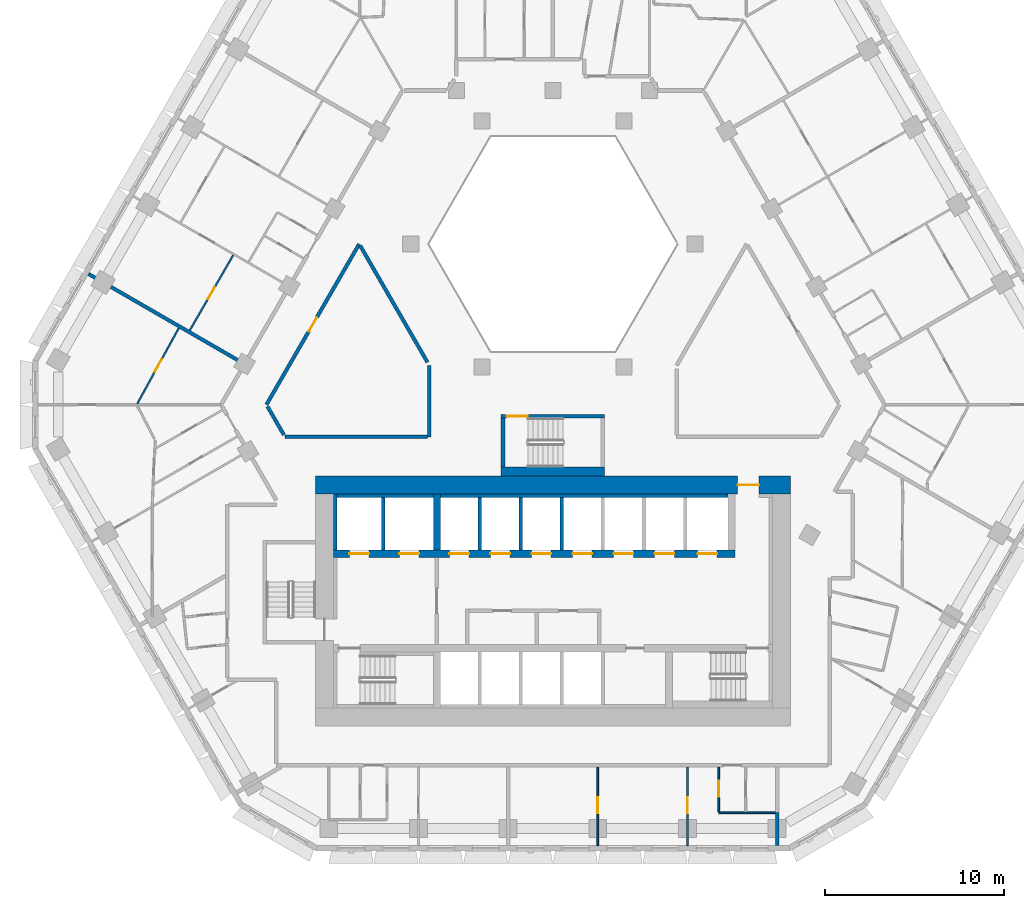
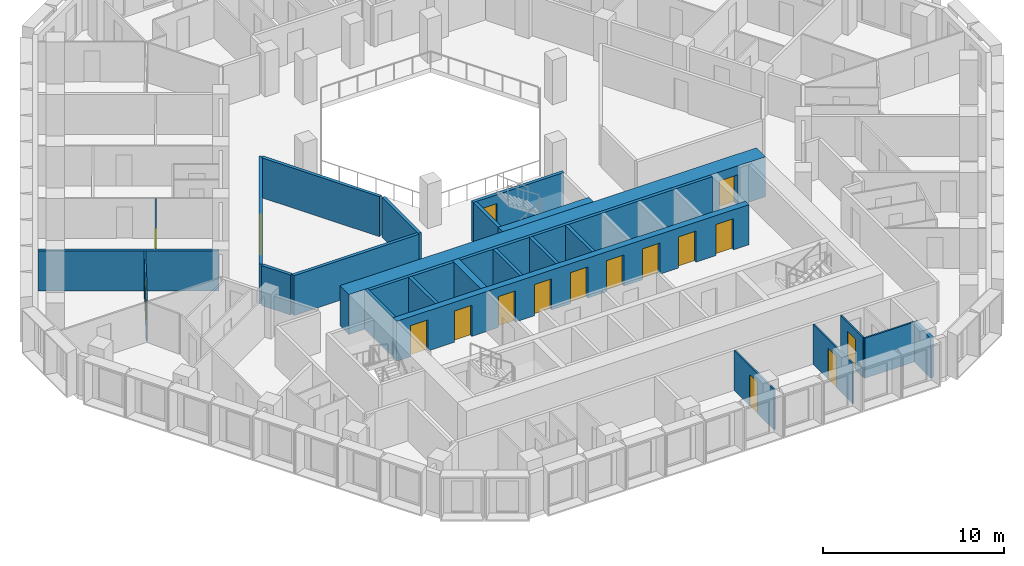
# One storey, part 5 of 18: 26 walls, 17 doors, 17 openings.
"""IFC4 building model written with IfcOpenShell, lengths in metres."""

from ifc_helpers import new_model, si_unit, direction, frame, frame_2d, origin, place, context, subcontext, project, spatial, rectangle, extrude, material, layer, layer_set, type_object, element, fill, save


model = new_model("IFC4")

# Units and contexts
model_context = context("Model", 3, precision=1e-05, world=origin(), true_north=direction((0.0, 1.0)))
body_context = subcontext(model_context, "Body", "Model", "MODEL_VIEW")
ifc_project = project(units=[si_unit("LENGTHUNIT", "METRE"), si_unit("AREAUNIT", "SQUARE_METRE"), si_unit("VOLUMEUNIT", "CUBIC_METRE"), si_unit("PLANEANGLEUNIT", "RADIAN"), si_unit("MASSUNIT", "GRAM", prefix="KILO")], contexts=[model_context])

# Site, building, storey
site_placement = place(None, origin())
site = spatial("IfcSite", under=ifc_project, at=site_placement, CompositionType="ELEMENT")
building_placement = place(site_placement, origin())
building = spatial("IfcBuilding", under=site, at=building_placement, Name="Beryl Residences", CompositionType="ELEMENT")
storey_placement = place(building_placement, frame((0.0, 0.0, 75.0)))
storey = spatial("IfcBuildingStorey", under=building, at=storey_placement, Name="L22", CompositionType="ELEMENT", Elevation=75.0)

# Wall, opening, door
ifc_material_1 = material(Name="Gypsum board partition on steel studs", Category="steel")
ifc_layer_1 = layer(ifc_material_1, 0.10009765625)
ifc_layer_set_1 = layer_set([ifc_layer_1], Name="PT1 partition 100 mm gypsum board on steel studs")
wall_type_1 = type_object("IfcWallType", Name="PT1 partition 100 mm gypsum board on steel studs", PredefinedType="PARTITIONING", material=ifc_layer_set_1)
wall_1_placement = place(storey_placement, frame((9.29296875, -21.300048828125, 0.0), z_axis=(0.0, 0.0, 1.0), x_axis=(0.0, -1.0, 0.0)))
wall_1 = element("IfcWall", 1, at=wall_1_placement, inside=storey, type_object=wall_type_1, Name="Wall PT1 L22 016", PredefinedType="PARTITIONING", context=body_context, shape_type="SweptSolid", body=[
    extrude(rectangle(XDim=2.509033203125, YDim=0.10009765625, at=frame_2d((1.25439453125, 0.0))), origin(), (0.0, 0.0, 1.0), 2.699951171875),
])
opening_1_placement = place(wall_1_placement, frame((0.780029296875, 0.0, 0.0)))
opening_1 = element("IfcOpeningElement", 2, at=opening_1_placement, cuts=wall_1, Name="Opening D0634", PredefinedType="OPENING", context=body_context, shape_type="SweptSolid", body=[
    extrude(rectangle(XDim=0.89990234375, YDim=2.10009765625, at=frame_2d((0.449951171875, 1.050048828125))), frame((0.0, 0.06005859375, 0.0), z_axis=(0.0, -1.0, 0.0), x_axis=(1.0, 0.0, 0.0)), (0.0, 0.0, 1.0), 0.1201171875),
])
ifc_material_2 = material(Name="Timber door leaf", Category="wood")
door_type_1 = type_object("IfcDoorType", Name="D2 room door 900 x 2100 mm", OperationType="SINGLE_SWING_LEFT", PredefinedType="DOOR", material=ifc_material_2)
door_1_placement = place(opening_1_placement, origin())
door_1 = element("IfcDoor", 3, at=door_1_placement, inside=storey, type_object=door_type_1, Name="Door D0634 L22 001", OperationType="SINGLE_SWING_RIGHT", OverallHeight=2.10009765625, OverallWidth=0.89990234375, PredefinedType="DOOR", context=body_context, shape_type="SweptSolid", body=[
    extrude(rectangle(XDim=0.89990234375, YDim=2.10009765625, at=frame_2d((0.449951171875, 1.050048828125))), frame((0.0, 0.02490234375, 0.0), z_axis=(0.0, -1.0, 0.0), x_axis=(1.0, 0.0, 0.0)), (0.0, 0.0, 1.0), 0.050048828125),
])
fill(opening_1, door_1)

# Wall
wall_2_placement = place(storey_placement, frame((9.2939453125, -23.860107421875, 0.0), z_axis=(0.0, 0.0, 1.0), x_axis=(1.0, 0.0, 0.0)))
element("IfcWall", 4, at=wall_2_placement, inside=storey, type_object=wall_type_1, Name="Wall PT1 L22 034", PredefinedType="PARTITIONING", context=body_context, shape_type="SweptSolid", body=[
    extrude(rectangle(XDim=3.1640625, YDim=0.10009765625, at=frame_2d((1.58203125, 0.0))), origin(), (0.0, 0.0, 1.0), 2.699951171875),
])

# Wall, opening, door
wall_3_placement = place(storey_placement, frame((-20.344970703125, 3.162109375, 0.0), z_axis=(0.0, 0.0, 1.0), x_axis=(0.499943653708, 0.866057932887, 0.0)))
wall_3 = element("IfcWall", 5, at=wall_3_placement, inside=storey, type_object=wall_type_1, Name="Wall PT1 L22 043", PredefinedType="PARTITIONING", context=body_context, shape_type="SweptSolid", body=[
    extrude(rectangle(XDim=4.87255859375, YDim=0.10009765625, at=frame_2d((2.436279296875, 0.0))), origin(), (0.0, 0.0, 1.0), 2.699951171875),
])
opening_2_placement = place(wall_3_placement, frame((2.010986328125, 0.0, 0.0)))
opening_2 = element("IfcOpeningElement", 6, at=opening_2_placement, cuts=wall_3, Name="Opening D0616", PredefinedType="OPENING", context=body_context, shape_type="SweptSolid", body=[
    extrude(rectangle(XDim=0.800048828125, YDim=2.10009765625, at=frame_2d((0.39990234375, 1.050048828125))), frame((0.0, 0.06005859375, 0.0), z_axis=(0.0, -1.0, 0.0), x_axis=(1.0, 0.0, 0.0)), (0.0, 0.0, 1.0), 0.1201171875),
])
ifc_material_3 = material(Name="Timber door leaf", Category="wood")
door_type_2 = type_object("IfcDoorType", Name="D3 bathroom door 800 x 2100 mm", OperationType="SINGLE_SWING_LEFT", PredefinedType="DOOR", material=ifc_material_3)
door_2_placement = place(opening_2_placement, origin())
door_2 = element("IfcDoor", 7, at=door_2_placement, inside=storey, type_object=door_type_2, Name="Door D0616 L22 001", OperationType="SINGLE_SWING_RIGHT", OverallHeight=2.10009765625, OverallWidth=0.800048828125, PredefinedType="DOOR", context=body_context, shape_type="SweptSolid", body=[
    extrude(rectangle(XDim=0.800048828125, YDim=2.10009765625, at=frame_2d((0.39990234375, 1.050048828125))), frame((0.0, 0.02490234375, 0.0), z_axis=(0.0, -1.0, 0.0), x_axis=(1.0, 0.0, 0.0)), (0.0, 0.0, 1.0), 0.050048828125),
])
fill(opening_2, door_2)

wall_4_placement = place(storey_placement, frame((-23.2890625, -0.950927734375, 0.0), z_axis=(0.0, 0.0, 1.0), x_axis=(0.481164463081, 0.876630343684, 0.0)))
wall_4 = element("IfcWall", 8, at=wall_4_placement, inside=storey, type_object=wall_type_1, Name="Wall PT1 L22 046", PredefinedType="PARTITIONING", context=body_context, shape_type="SweptSolid", body=[
    extrude(rectangle(XDim=4.83447265625, YDim=0.10009765625, at=frame_2d((2.417236328125, 0.0))), origin(), (0.0, 0.0, 1.0), 2.699951171875),
])
opening_3_placement = place(wall_4_placement, frame((2.0390625, 0.0, 0.0)))
opening_3 = element("IfcOpeningElement", 9, at=opening_3_placement, cuts=wall_4, Name="Opening D0624", PredefinedType="OPENING", context=body_context, shape_type="SweptSolid", body=[
    extrude(rectangle(XDim=0.800048828125, YDim=2.10009765625, at=frame_2d((0.39990234375, 1.050048828125))), frame((0.0, 0.06005859375, 0.0), z_axis=(0.0, -1.0, 0.0), x_axis=(1.0, 0.0, 0.0)), (0.0, 0.0, 1.0), 0.1201171875),
])
door_3_placement = place(opening_3_placement, origin())
door_3 = element("IfcDoor", 10, at=door_3_placement, inside=storey, type_object=door_type_2, Name="Door D0624 L22 001", OperationType="SINGLE_SWING_RIGHT", OverallHeight=2.10009765625, OverallWidth=0.800048828125, PredefinedType="DOOR", context=body_context, shape_type="SweptSolid", body=[
    extrude(rectangle(XDim=0.800048828125, YDim=2.10009765625, at=frame_2d((0.39990234375, 1.050048828125))), frame((0.0, 0.02490234375, 0.0), z_axis=(0.0, -1.0, 0.0), x_axis=(1.0, 0.0, 0.0)), (0.0, 0.0, 1.0), 0.050048828125),
])
fill(opening_3, door_3)

wall_5_placement = place(storey_placement, frame((7.534912109375, -25.699951171875, 0.0), z_axis=(0.0, 0.0, 1.0), x_axis=(0.0, 1.0, 0.0)))
wall_5 = element("IfcWall", 11, at=wall_5_placement, inside=storey, type_object=wall_type_1, Name="Wall PT1 L22 056", PredefinedType="PARTITIONING", context=body_context, shape_type="SweptSolid", body=[
    extrude(rectangle(XDim=4.39990234375, YDim=0.10009765625, at=frame_2d((2.199951171875, 0.0))), origin(), (0.0, 0.0, 1.0), 2.699951171875),
])
opening_4_placement = place(wall_5_placement, frame((1.800048828125, 0.0, 0.0)))
opening_4 = element("IfcOpeningElement", 12, at=opening_4_placement, cuts=wall_5, Name="Opening D0636", PredefinedType="OPENING", context=body_context, shape_type="SweptSolid", body=[
    extrude(rectangle(XDim=0.89990234375, YDim=2.10009765625, at=frame_2d((0.449951171875, 1.050048828125))), frame((0.0, 0.06005859375, 0.0), z_axis=(0.0, -1.0, 0.0), x_axis=(1.0, 0.0, 0.0)), (0.0, 0.0, 1.0), 0.1201171875),
])
door_4_placement = place(opening_4_placement, origin())
door_4 = element("IfcDoor", 13, at=door_4_placement, inside=storey, type_object=door_type_1, Name="Door D0636 L22 001", OperationType="SINGLE_SWING_RIGHT", OverallHeight=2.10009765625, OverallWidth=0.89990234375, PredefinedType="DOOR", context=body_context, shape_type="SweptSolid", body=[
    extrude(rectangle(XDim=0.89990234375, YDim=2.10009765625, at=frame_2d((0.449951171875, 1.050048828125))), frame((0.0, 0.02490234375, 0.0), z_axis=(0.0, -1.0, 0.0), x_axis=(1.0, 0.0, 0.0)), (0.0, 0.0, 1.0), 0.050048828125),
])
fill(opening_4, door_4)

wall_6_placement = place(storey_placement, frame((2.511962890625, -25.699951171875, 0.0), z_axis=(0.0, 0.0, 1.0), x_axis=(0.0, 1.0, 0.0)))
wall_6 = element("IfcWall", 14, at=wall_6_placement, inside=storey, type_object=wall_type_1, Name="Wall PT1 L22 059", PredefinedType="PARTITIONING", context=body_context, shape_type="SweptSolid", body=[
    extrude(rectangle(XDim=4.39990234375, YDim=0.10009765625, at=frame_2d((2.199951171875, 0.0))), origin(), (0.0, 0.0, 1.0), 2.699951171875),
])
opening_5_placement = place(wall_6_placement, frame((1.800048828125, 0.0, 0.0)))
opening_5 = element("IfcOpeningElement", 15, at=opening_5_placement, cuts=wall_6, Name="Opening D0637", PredefinedType="OPENING", context=body_context, shape_type="SweptSolid", body=[
    extrude(rectangle(XDim=0.89990234375, YDim=2.10009765625, at=frame_2d((0.449951171875, 1.050048828125))), frame((0.0, 0.06005859375, 0.0), z_axis=(0.0, -1.0, 0.0), x_axis=(1.0, 0.0, 0.0)), (0.0, 0.0, 1.0), 0.1201171875),
])
door_5_placement = place(opening_5_placement, origin())
door_5 = element("IfcDoor", 16, at=door_5_placement, inside=storey, type_object=door_type_1, Name="Door D0637 L22 001", OperationType="SINGLE_SWING_LEFT", OverallHeight=2.10009765625, OverallWidth=0.89990234375, PredefinedType="DOOR", context=body_context, shape_type="SweptSolid", body=[
    extrude(rectangle(XDim=0.89990234375, YDim=2.10009765625, at=frame_2d((0.449951171875, 1.050048828125))), frame((0.0, 0.02490234375, 0.0), z_axis=(0.0, -1.0, 0.0), x_axis=(1.0, 0.0, 0.0)), (0.0, 0.0, 1.0), 0.050048828125),
])
fill(opening_5, door_5)

# Walls
ifc_material_4 = material(Name="Acoustic double stud gypsum board wall")
ifc_layer_2 = layer(ifc_material_4, 0.199951171875)
ifc_layer_set_2 = layer_set([ifc_layer_2], Name="PT3 party wall 200 mm acoustic double stud")
wall_type_2 = type_object("IfcWallType", Name="PT3 party wall 200 mm acoustic double stud", PredefinedType="PARTITIONING", material=ifc_layer_set_2)
wall_7_placement = place(storey_placement, frame((12.55810546875, -23.860107421875, 0.0), z_axis=(0.0, 0.0, 1.0), x_axis=(0.0, -1.0, 0.0)))
element("IfcWall", 17, at=wall_7_placement, inside=storey, type_object=wall_type_2, Name="Wall PT3 L22 001", PredefinedType="PARTITIONING", context=body_context, shape_type="SweptSolid", body=[
    extrude(rectangle(XDim=1.83984375, YDim=0.199951171875, at=frame_2d((0.919921875, 0.0))), origin(), (0.0, 0.0, 1.0), 2.699951171875),
])
wall_8_placement = place(storey_placement, frame((-26.02490234375, 6.324951171875, 0.0), z_axis=(0.0, 0.0, 1.0), x_axis=(0.866041268327, -0.499972520799, 0.0)))
element("IfcWall", 18, at=wall_8_placement, inside=storey, type_object=wall_type_2, Name="Wall PT3 L22 002", PredefinedType="PARTITIONING", context=body_context, shape_type="SweptSolid", body=[
    extrude(rectangle(XDim=10.00048828125, YDim=0.199951171875, at=frame_2d((5.000244140625, 0.0))), origin(), (0.0, 0.0, 1.0), 2.699951171875),
])
ifc_material_5 = material(Name="Double stud gypsum board wall")
ifc_layer_3 = layer(ifc_material_5, 0.199951171875)
ifc_layer_set_3 = layer_set([ifc_layer_3], Name="PT4 corridor wall 200 mm double stud")
wall_type_3 = type_object("IfcWallType", Name="PT4 corridor wall 200 mm double stud", PredefinedType="PARTITIONING", material=ifc_layer_set_3)
wall_9_placement = place(storey_placement, frame((-10.7958984375, 7.89892578125, 0.0), z_axis=(0.0, 0.0, 1.0), x_axis=(0.500010383074, -0.866019409031, 0.0)))
element("IfcWall", 19, at=wall_9_placement, inside=storey, type_object=wall_type_3, Name="Wall PT4 L22 001", PredefinedType="PARTITIONING", context=body_context, shape_type="SweptSolid", body=[
    extrude(rectangle(XDim=7.535400390625, YDim=0.199951171875, at=frame_2d((3.767578125, 0.0))), origin(), (0.0, 0.0, 1.0), 2.699951171875),
])
wall_10_placement = place(storey_placement, frame((-15.992919921875, -1.10107421875, 0.0), z_axis=(0.0, 0.0, 1.0), x_axis=(0.499894174133, -0.866086493757, 0.0)))
element("IfcWall", 20, at=wall_10_placement, inside=storey, type_object=wall_type_3, Name="Wall PT4 L22 002", PredefinedType="PARTITIONING", context=body_context, shape_type="SweptSolid", body=[
    extrude(rectangle(XDim=1.84619140625, YDim=0.199951171875, at=frame_2d((0.923095703125, 0.0))), origin(), (0.0, 0.0, 1.0), 2.699951171875),
])
wall_11_placement = place(storey_placement, frame((-15.010986328125, -2.800048828125, 0.0), z_axis=(0.0, 0.0, 1.0), x_axis=(1.0, 0.0, 0.0)))
element("IfcWall", 21, at=wall_11_placement, inside=storey, type_object=wall_type_3, Name="Wall PT4 L22 017", PredefinedType="PARTITIONING", context=body_context, shape_type="SweptSolid", body=[
    extrude(rectangle(XDim=7.98193359375, YDim=0.199951171875, at=frame_2d((3.990966796875, 0.0))), origin(), (0.0, 0.0, 1.0), 2.699951171875),
])

# Wall, opening, door
wall_12_placement = place(storey_placement, frame((-16.050048828125, -1.0, 0.0), z_axis=(0.0, 0.0, 1.0), x_axis=(0.499962449088, 0.866047082728, 0.0)))
wall_12 = element("IfcWall", 22, at=wall_12_placement, inside=storey, type_object=wall_type_3, Name="Wall PT4 L22 026", PredefinedType="PARTITIONING", context=body_context, shape_type="SweptSolid", body=[
    extrude(rectangle(XDim=10.390869140625, YDim=0.199951171875, at=frame_2d((5.1953125, 0.0))), origin(), (0.0, 0.0, 1.0), 2.699951171875),
])
opening_6_placement = place(wall_12_placement, frame((4.7451171875, 0.0, 0.0)))
opening_6 = element("IfcOpeningElement", 23, at=opening_6_placement, cuts=wall_12, Name="Opening D0666", PredefinedType="OPENING", context=body_context, shape_type="SweptSolid", body=[
    extrude(rectangle(XDim=0.89990234375, YDim=2.10009765625, at=frame_2d((0.449951171875, 1.050048828125))), frame((0.0, 0.10986328125, 0.0), z_axis=(0.0, -1.0, 0.0), x_axis=(1.0, 0.0, 0.0)), (0.0, 0.0, 1.0), 0.219970703125),
])
door_6_placement = place(opening_6_placement, origin())
door_6 = element("IfcDoor", 24, at=door_6_placement, inside=storey, type_object=door_type_1, Name="Door D0666 L22 001", OperationType="SINGLE_SWING_RIGHT", OverallHeight=2.10009765625, OverallWidth=0.89990234375, PredefinedType="DOOR", context=body_context, shape_type="SweptSolid", body=[
    extrude(rectangle(XDim=0.89990234375, YDim=2.10009765625, at=frame_2d((0.449951171875, 1.050048828125))), frame((0.0, 0.02490234375, 0.0), z_axis=(0.0, -1.0, 0.0), x_axis=(1.0, 0.0, 0.0)), (0.0, 0.0, 1.0), 0.050048828125),
])
fill(opening_6, door_6)

# Wall
wall_13_placement = place(storey_placement, frame((-6.927978515625, -2.799072265625, 0.0), z_axis=(0.0, 0.0, 1.0), x_axis=(0.0, 1.0, 0.0)))
element("IfcWall", 25, at=wall_13_placement, inside=storey, type_object=wall_type_3, Name="Wall PT4 L22 032", PredefinedType="PARTITIONING", context=body_context, shape_type="SweptSolid", body=[
    extrude(rectangle(XDim=3.9990234375, YDim=0.199951171875, at=frame_2d((1.99951171875, 0.0))), origin(), (0.0, 0.0, 1.0), 2.699951171875),
])

# Wall, opening, door
ifc_material_6 = material(Name="Concrete C40/50", Category="concrete")
ifc_layer_4 = layer(ifc_material_6, 0.199951171875)
ifc_layer_set_4 = layer_set([ifc_layer_4], Name="PT5 stair enclosure wall 200 mm reinforced concrete C40/50")
wall_type_4 = type_object("IfcWallType", Name="PT5 stair enclosure wall 200 mm reinforced concrete C40/50", PredefinedType="SOLIDWALL", material=ifc_layer_set_4)
wall_14_placement = place(storey_placement, frame((-2.89990234375, -1.64990234375, 0.0), z_axis=(0.0, 0.0, 1.0), x_axis=(1.0, 0.0, 0.0)))
wall_14 = element("IfcWall", 26, at=wall_14_placement, inside=storey, type_object=wall_type_4, Name="Wall PT5 L22 001", PredefinedType="SOLIDWALL", context=body_context, shape_type="SweptSolid", body=[
    extrude(rectangle(XDim=5.7998046875, YDim=0.199951171875, at=frame_2d((2.89990234375, 0.0))), origin(), (0.0, 0.0, 1.0), 2.699951171875),
])
opening_7_placement = place(wall_14_placement, frame((0.300048828125, 0.0, 0.0)))
opening_7 = element("IfcOpeningElement", 27, at=opening_7_placement, cuts=wall_14, Name="Opening DS04", PredefinedType="OPENING", context=body_context, shape_type="SweptSolid", body=[
    extrude(rectangle(XDim=1.199951171875, YDim=2.10009765625, at=frame_2d((0.60009765625, 1.050048828125))), frame((0.0, 0.10986328125, 0.0), z_axis=(0.0, -1.0, 0.0), x_axis=(1.0, 0.0, 0.0)), (0.0, 0.0, 1.0), 0.219970703125),
])
ifc_material_7 = material(Name="Steel door leaf in steel frame", Category="steel")
door_type_3 = type_object("IfcDoorType", Name="D4 stair door 1200 x 2100 mm", OperationType="SINGLE_SWING_LEFT", PredefinedType="DOOR", material=ifc_material_7)
door_7_placement = place(opening_7_placement, origin())
door_7 = element("IfcDoor", 28, at=door_7_placement, inside=storey, type_object=door_type_3, Name="Door DS04 L22 001", OperationType="SINGLE_SWING_LEFT", OverallHeight=2.10009765625, OverallWidth=1.199951171875, PredefinedType="DOOR", context=body_context, shape_type="SweptSolid", body=[
    extrude(rectangle(XDim=1.199951171875, YDim=2.10009765625, at=frame_2d((0.60009765625, 1.050048828125))), frame((0.0, 0.02490234375, 0.0), z_axis=(0.0, -1.0, 0.0), x_axis=(1.0, 0.0, 0.0)), (0.0, 0.0, 1.0), 0.050048828125),
])
fill(opening_7, door_7)

# Walls
wall_15_placement = place(storey_placement, frame((-2.800048828125, -4.5, 0.0), z_axis=(0.0, 0.0, 1.0), x_axis=(0.0, 1.0, 0.0)))
element("IfcWall", 29, at=wall_15_placement, inside=storey, type_object=wall_type_4, Name="Wall PT5 L22 002", PredefinedType="SOLIDWALL", context=body_context, shape_type="SweptSolid", body=[
    extrude(rectangle(XDim=2.75, YDim=0.199951171875, at=frame_2d((1.375, 0.0))), origin(), (0.0, 0.0, 1.0), 2.699951171875),
])
ifc_material_8 = material(Name="Concrete C40/50", Category="concrete")
ifc_layer_5 = layer(ifc_material_8, 0.5)
ifc_layer_set_5 = layer_set([ifc_layer_5], Name="PT5-500 stair enclosure wall 500 mm")
wall_type_5 = type_object("IfcWallType", Name="PT5-500 stair enclosure wall 500 mm", PredefinedType="SOLIDWALL", material=ifc_layer_set_5)
wall_16_placement = place(storey_placement, frame((-2.89990234375, -4.75, 0.0), z_axis=(0.0, 0.0, 1.0), x_axis=(1.0, 0.0, 0.0)))
element("IfcWall", 30, at=wall_16_placement, inside=storey, type_object=wall_type_5, Name="Wall PT5-500 L22 001", PredefinedType="SOLIDWALL", context=body_context, shape_type="SweptSolid", body=[
    extrude(rectangle(XDim=5.7998046875, YDim=0.5, at=frame_2d((2.89990234375, 0.0))), origin(), (0.0, 0.0, 1.0), 2.699951171875),
])
ifc_material_9 = material(Name="Concrete C40/50", Category="concrete")
ifc_layer_6 = layer(ifc_material_9, 0.199951171875)
ifc_layer_set_6 = layer_set([ifc_layer_6], Name="PT6 lift shaft wall 200 mm reinforced concrete C40/50")
wall_type_6 = type_object("IfcWallType", Name="PT6 lift shaft wall 200 mm reinforced concrete C40/50", PredefinedType="SOLIDWALL", material=ifc_layer_set_6)
wall_17_placement = place(storey_placement, frame((-12.199951171875, -9.14990234375, 0.0), z_axis=(0.0, 0.0, 1.0), x_axis=(0.0, 1.0, 0.0)))
element("IfcWall", 31, at=wall_17_placement, inside=storey, type_object=wall_type_6, Name="Lift shaft wall 06", PredefinedType="SOLIDWALL", context=body_context, shape_type="SweptSolid", body=[
    extrude(rectangle(XDim=3.14990234375, YDim=0.199951171875, at=frame_2d((1.574951171875, 0.0))), origin(), (0.0, 0.0, 1.0), 2.699951171875),
])
wall_18_placement = place(storey_placement, frame((-12.10009765625, -6.10009765625, 0.0), z_axis=(0.0, 0.0, 1.0), x_axis=(1.0, 0.0, 0.0)))
element("IfcWall", 32, at=wall_18_placement, inside=storey, type_object=wall_type_6, Name="Lift shaft wall 08", PredefinedType="SOLIDWALL", context=body_context, shape_type="SweptSolid", body=[
    extrude(rectangle(XDim=5.400146484375, YDim=0.199951171875, at=frame_2d((2.7001953125, 0.0))), origin(), (0.0, 0.0, 1.0), 2.699951171875),
])
wall_19_placement = place(storey_placement, frame((-9.5, -9.14990234375, 0.0), z_axis=(0.0, 0.0, 1.0), x_axis=(0.0, 1.0, 0.0)))
element("IfcWall", 33, at=wall_19_placement, inside=storey, type_object=wall_type_6, Name="Lift shaft wall 10", PredefinedType="SOLIDWALL", context=body_context, shape_type="SweptSolid", body=[
    extrude(rectangle(XDim=2.949951171875, YDim=0.199951171875, at=frame_2d((1.47509765625, 0.0))), origin(), (0.0, 0.0, 1.0), 2.699951171875),
])
wall_20_placement = place(storey_placement, frame((-6.300048828125, -6.10009765625, 0.0), z_axis=(0.0, 0.0, 1.0), x_axis=(1.0, 0.0, 0.0)))
element("IfcWall", 34, at=wall_20_placement, inside=storey, type_object=wall_type_6, Name="Lift shaft wall 13", PredefinedType="SOLIDWALL", context=body_context, shape_type="SweptSolid", body=[
    extrude(rectangle(XDim=16.10009765625, YDim=0.199951171875, at=frame_2d((8.050048828125, 0.0))), origin(), (0.0, 0.0, 1.0), 2.699951171875),
])
for number, where, z_axis, x_axis, name in (
    (35, (-4.10009765625, -9.14990234375, 0.0), (0.0, 0.0, 1.0), (0.0, 1.0, 0.0), "Lift shaft wall 17"),
    (36, (-1.800048828125, -9.14990234375, 0.0), (0.0, 0.0, 1.0), (0.0, 1.0, 0.0), "Lift shaft wall 19"),
    (37, (0.5, -9.14990234375, 0.0), (0.0, 0.0, 1.0), (0.0, 1.0, 0.0), "Lift shaft wall 22"),
):
    element("IfcWall", number, at=place(storey_placement, frame(where, z_axis=z_axis, x_axis=x_axis)), inside=storey, type_object=wall_type_6, Name=name, PredefinedType="SOLIDWALL", context=body_context, shape_type="SweptSolid", body=[
        extrude(rectangle(XDim=2.949951171875, YDim=0.199951171875, at=frame_2d((1.47509765625, 0.0))), origin(), (0.0, 0.0, 1.0), 2.699951171875),
    ])

# Wall, opening, door
ifc_material_10 = material(Name="Concrete C70/85", Category="concrete")
ifc_layer_7 = layer(ifc_material_10, 1.0)
ifc_layer_set_7 = layer_set([ifc_layer_7], Name="SW2 core outer wall 1000 mm C70/85")
wall_type_7 = type_object("IfcWallType", Name="SW2 core outer wall 1000 mm C70/85", PredefinedType="SHEAR", material=ifc_layer_set_7)
wall_21_placement = place(storey_placement, frame((-13.300048828125, -5.5, 0.0), z_axis=(0.0, 0.0, 1.0), x_axis=(1.0, 0.0, 0.0)))
wall_21 = element("IfcWall", 38, at=wall_21_placement, inside=storey, type_object=wall_type_7, Name="Core wall N L22", PredefinedType="SHEAR", context=body_context, shape_type="SweptSolid", body=[
    extrude(rectangle(XDim=26.60009765625, YDim=1.0, at=frame_2d((13.300048828125, 0.0))), origin(), (0.0, 0.0, 1.0), 2.699951171875),
])
opening_8_placement = place(wall_21_placement, frame((23.64990234375, 0.0, 0.0)))
opening_8 = element("IfcOpeningElement", 39, at=opening_8_placement, cuts=wall_21, Name="Opening FD-NORTH", PredefinedType="OPENING", context=body_context, shape_type="SweptSolid", body=[
    extrude(rectangle(XDim=1.199951171875, YDim=2.10009765625, at=frame_2d((0.60009765625, 1.050048828125))), frame((0.0, 0.510009765625, 0.0), z_axis=(0.0, -1.0, 0.0), x_axis=(1.0, 0.0, 0.0)), (0.0, 0.0, 1.0), 1.02001953125),
])
ifc_material_11 = material(Name="Steel door leaf in steel frame", Category="steel")
door_type_4 = type_object("IfcDoorType", Name="D22 lobby door 1200 x 2100 mm", OperationType="DOUBLE_DOOR_SINGLE_SWING", PredefinedType="DOOR", material=ifc_material_11)
door_8_placement = place(opening_8_placement, origin())
door_8 = element("IfcDoor", 40, at=door_8_placement, inside=storey, type_object=door_type_4, Name="Door FD-NORTH L22 001", OperationType="DOUBLE_DOOR_SINGLE_SWING", OverallHeight=2.10009765625, OverallWidth=1.199951171875, PredefinedType="DOOR", context=body_context, shape_type="SweptSolid", body=[
    extrude(rectangle(XDim=1.199951171875, YDim=2.10009765625, at=frame_2d((0.60009765625, 1.050048828125))), frame((0.0, 0.02490234375, 0.0), z_axis=(0.0, -1.0, 0.0), x_axis=(1.0, 0.0, 0.0)), (0.0, 0.0, 1.0), 0.050048828125),
])
fill(opening_8, door_8)

# Wall, openings, doors
ifc_material_12 = material(Name="Concrete C70/85", Category="concrete")
ifc_layer_8 = layer(ifc_material_12, 0.39990234375)
ifc_layer_set_8 = layer_set([ifc_layer_8], Name="SW7 core internal wall 400 mm C70/85")
wall_type_8 = type_object("IfcWallType", Name="SW7 core internal wall 400 mm C70/85", PredefinedType="SHEAR", material=ifc_layer_set_8)
wall_22_placement = place(storey_placement, frame((-12.300048828125, -9.35009765625, 0.0), z_axis=(0.0, 0.0, 1.0), x_axis=(1.0, 0.0, 0.0)))
wall_22 = element("IfcWall", 41, at=wall_22_placement, inside=storey, type_object=wall_type_8, Name="Core wall SP2 L22", PredefinedType="SHEAR", context=body_context, shape_type="SweptSolid", body=[
    extrude(rectangle(XDim=22.5, YDim=0.39990234375, at=frame_2d((11.25, 0.0))), origin(), (0.0, 0.0, 1.0), 2.699951171875),
])
opening_9_placement = place(wall_22_placement, frame((0.89990234375, 0.0, 0.0)))
opening_9 = element("IfcOpeningElement", 42, at=opening_9_placement, cuts=wall_22, Name="Opening LD-FF1", PredefinedType="OPENING", context=body_context, shape_type="SweptSolid", body=[
    extrude(rectangle(XDim=1.10009765625, YDim=2.10009765625, at=frame_2d((0.550048828125, 1.050048828125))), frame((0.0, 0.2099609375, 0.0), z_axis=(0.0, -1.0, 0.0), x_axis=(1.0, 0.0, 0.0)), (0.0, 0.0, 1.0), 0.419921875),
])
opening_10_placement = place(wall_22_placement, frame((3.699951171875, 0.0, 0.0)))
opening_10 = element("IfcOpeningElement", 43, at=opening_10_placement, cuts=wall_22, Name="Opening LD-FF2", PredefinedType="OPENING", context=body_context, shape_type="SweptSolid", body=[
    extrude(rectangle(XDim=1.10009765625, YDim=2.10009765625, at=frame_2d((0.550048828125, 1.050048828125))), frame((0.0, 0.2099609375, 0.0), z_axis=(0.0, -1.0, 0.0), x_axis=(1.0, 0.0, 0.0)), (0.0, 0.0, 1.0), 0.419921875),
])
opening_11_placement = place(wall_22_placement, frame((6.5, 0.0, 0.0)))
opening_11 = element("IfcOpeningElement", 44, at=opening_11_placement, cuts=wall_22, Name="Opening LD-LR1", PredefinedType="OPENING", context=body_context, shape_type="SweptSolid", body=[
    extrude(rectangle(XDim=1.10009765625, YDim=2.10009765625, at=frame_2d((0.550048828125, 1.050048828125))), frame((0.0, 0.2099609375, 0.0), z_axis=(0.0, -1.0, 0.0), x_axis=(1.0, 0.0, 0.0)), (0.0, 0.0, 1.0), 0.419921875),
])
opening_12_placement = place(wall_22_placement, frame((8.800048828125, 0.0, 0.0)))
opening_12 = element("IfcOpeningElement", 45, at=opening_12_placement, cuts=wall_22, Name="Opening LD-LR2", PredefinedType="OPENING", context=body_context, shape_type="SweptSolid", body=[
    extrude(rectangle(XDim=1.10009765625, YDim=2.10009765625, at=frame_2d((0.550048828125, 1.050048828125))), frame((0.0, 0.2099609375, 0.0), z_axis=(0.0, -1.0, 0.0), x_axis=(1.0, 0.0, 0.0)), (0.0, 0.0, 1.0), 0.419921875),
])
opening_13_placement = place(wall_22_placement, frame((11.10009765625, 0.0, 0.0)))
opening_13 = element("IfcOpeningElement", 46, at=opening_13_placement, cuts=wall_22, Name="Opening LD-LR3", PredefinedType="OPENING", context=body_context, shape_type="SweptSolid", body=[
    extrude(rectangle(XDim=1.10009765625, YDim=2.10009765625, at=frame_2d((0.550048828125, 1.050048828125))), frame((0.0, 0.2099609375, 0.0), z_axis=(0.0, -1.0, 0.0), x_axis=(1.0, 0.0, 0.0)), (0.0, 0.0, 1.0), 0.419921875),
])
opening_14_placement = place(wall_22_placement, frame((13.39990234375, 0.0, 0.0)))
opening_14 = element("IfcOpeningElement", 47, at=opening_14_placement, cuts=wall_22, Name="Opening LD-LR4", PredefinedType="OPENING", context=body_context, shape_type="SweptSolid", body=[
    extrude(rectangle(XDim=1.10009765625, YDim=2.10009765625, at=frame_2d((0.550048828125, 1.050048828125))), frame((0.0, 0.2099609375, 0.0), z_axis=(0.0, -1.0, 0.0), x_axis=(1.0, 0.0, 0.0)), (0.0, 0.0, 1.0), 0.419921875),
])
opening_15_placement = place(wall_22_placement, frame((15.699951171875, 0.0, 0.0)))
opening_15 = element("IfcOpeningElement", 48, at=opening_15_placement, cuts=wall_22, Name="Opening LD-LR5", PredefinedType="OPENING", context=body_context, shape_type="SweptSolid", body=[
    extrude(rectangle(XDim=1.10009765625, YDim=2.10009765625, at=frame_2d((0.550048828125, 1.050048828125))), frame((0.0, 0.2099609375, 0.0), z_axis=(0.0, -1.0, 0.0), x_axis=(1.0, 0.0, 0.0)), (0.0, 0.0, 1.0), 0.419921875),
])
opening_16_placement = place(wall_22_placement, frame((18.0, 0.0, 0.0)))
opening_16 = element("IfcOpeningElement", 49, at=opening_16_placement, cuts=wall_22, Name="Opening LD-LR6", PredefinedType="OPENING", context=body_context, shape_type="SweptSolid", body=[
    extrude(rectangle(XDim=1.10009765625, YDim=2.10009765625, at=frame_2d((0.550048828125, 1.050048828125))), frame((0.0, 0.2099609375, 0.0), z_axis=(0.0, -1.0, 0.0), x_axis=(1.0, 0.0, 0.0)), (0.0, 0.0, 1.0), 0.419921875),
])
opening_17_placement = place(wall_22_placement, frame((20.39990234375, 0.0, 0.0)))
opening_17 = element("IfcOpeningElement", 50, at=opening_17_placement, cuts=wall_22, Name="Opening LD-SL1", PredefinedType="OPENING", context=body_context, shape_type="SweptSolid", body=[
    extrude(rectangle(XDim=1.10009765625, YDim=2.10009765625, at=frame_2d((0.550048828125, 1.050048828125))), frame((0.0, 0.2099609375, 0.0), z_axis=(0.0, -1.0, 0.0), x_axis=(1.0, 0.0, 0.0)), (0.0, 0.0, 1.0), 0.419921875),
])
ifc_material_13 = material(Name="Stainless steel sliding door", Category="steel")
door_type_5 = type_object("IfcDoorType", Name="LD1 lift landing door 1100 x 2100 mm", OperationType="DOUBLE_DOOR_SLIDING", PredefinedType="DOOR", material=ifc_material_13)
door_9_placement = place(opening_9_placement, origin())
door_9 = element("IfcDoor", 51, at=door_9_placement, inside=storey, type_object=door_type_5, Name="Lift landing door FF1", OperationType="DOUBLE_DOOR_SLIDING", OverallHeight=2.10009765625, OverallWidth=1.10009765625, PredefinedType="DOOR", context=body_context, shape_type="SweptSolid", body=[
    extrude(rectangle(XDim=1.10009765625, YDim=2.10009765625, at=frame_2d((0.550048828125, 1.050048828125))), frame((0.0, 0.02490234375, 0.0), z_axis=(0.0, -1.0, 0.0), x_axis=(1.0, 0.0, 0.0)), (0.0, 0.0, 1.0), 0.050048828125),
])
fill(opening_9, door_9)
door_10_placement = place(opening_10_placement, origin())
door_10 = element("IfcDoor", 52, at=door_10_placement, inside=storey, type_object=door_type_5, Name="Lift landing door FF2", OperationType="DOUBLE_DOOR_SLIDING", OverallHeight=2.10009765625, OverallWidth=1.10009765625, PredefinedType="DOOR", context=body_context, shape_type="SweptSolid", body=[
    extrude(rectangle(XDim=1.10009765625, YDim=2.10009765625, at=frame_2d((0.550048828125, 1.050048828125))), frame((0.0, 0.02490234375, 0.0), z_axis=(0.0, -1.0, 0.0), x_axis=(1.0, 0.0, 0.0)), (0.0, 0.0, 1.0), 0.050048828125),
])
fill(opening_10, door_10)
door_11_placement = place(opening_11_placement, origin())
door_11 = element("IfcDoor", 53, at=door_11_placement, inside=storey, type_object=door_type_5, Name="Lift landing door LR1", OperationType="DOUBLE_DOOR_SLIDING", OverallHeight=2.10009765625, OverallWidth=1.10009765625, PredefinedType="DOOR", context=body_context, shape_type="SweptSolid", body=[
    extrude(rectangle(XDim=1.10009765625, YDim=2.10009765625, at=frame_2d((0.550048828125, 1.050048828125))), frame((0.0, 0.02490234375, 0.0), z_axis=(0.0, -1.0, 0.0), x_axis=(1.0, 0.0, 0.0)), (0.0, 0.0, 1.0), 0.050048828125),
])
fill(opening_11, door_11)
door_12_placement = place(opening_12_placement, origin())
door_12 = element("IfcDoor", 54, at=door_12_placement, inside=storey, type_object=door_type_5, Name="Lift landing door LR2", OperationType="DOUBLE_DOOR_SLIDING", OverallHeight=2.10009765625, OverallWidth=1.10009765625, PredefinedType="DOOR", context=body_context, shape_type="SweptSolid", body=[
    extrude(rectangle(XDim=1.10009765625, YDim=2.10009765625, at=frame_2d((0.550048828125, 1.050048828125))), frame((0.0, 0.02490234375, 0.0), z_axis=(0.0, -1.0, 0.0), x_axis=(1.0, 0.0, 0.0)), (0.0, 0.0, 1.0), 0.050048828125),
])
fill(opening_12, door_12)
door_13_placement = place(opening_13_placement, origin())
door_13 = element("IfcDoor", 55, at=door_13_placement, inside=storey, type_object=door_type_5, Name="Lift landing door LR3", OperationType="DOUBLE_DOOR_SLIDING", OverallHeight=2.10009765625, OverallWidth=1.10009765625, PredefinedType="DOOR", context=body_context, shape_type="SweptSolid", body=[
    extrude(rectangle(XDim=1.10009765625, YDim=2.10009765625, at=frame_2d((0.550048828125, 1.050048828125))), frame((0.0, 0.02490234375, 0.0), z_axis=(0.0, -1.0, 0.0), x_axis=(1.0, 0.0, 0.0)), (0.0, 0.0, 1.0), 0.050048828125),
])
fill(opening_13, door_13)
door_14_placement = place(opening_14_placement, origin())
door_14 = element("IfcDoor", 56, at=door_14_placement, inside=storey, type_object=door_type_5, Name="Lift landing door LR4", OperationType="DOUBLE_DOOR_SLIDING", OverallHeight=2.10009765625, OverallWidth=1.10009765625, PredefinedType="DOOR", context=body_context, shape_type="SweptSolid", body=[
    extrude(rectangle(XDim=1.10009765625, YDim=2.10009765625, at=frame_2d((0.550048828125, 1.050048828125))), frame((0.0, 0.02490234375, 0.0), z_axis=(0.0, -1.0, 0.0), x_axis=(1.0, 0.0, 0.0)), (0.0, 0.0, 1.0), 0.050048828125),
])
fill(opening_14, door_14)
door_15_placement = place(opening_15_placement, origin())
door_15 = element("IfcDoor", 57, at=door_15_placement, inside=storey, type_object=door_type_5, Name="Lift landing door LR5", OperationType="DOUBLE_DOOR_SLIDING", OverallHeight=2.10009765625, OverallWidth=1.10009765625, PredefinedType="DOOR", context=body_context, shape_type="SweptSolid", body=[
    extrude(rectangle(XDim=1.10009765625, YDim=2.10009765625, at=frame_2d((0.550048828125, 1.050048828125))), frame((0.0, 0.02490234375, 0.0), z_axis=(0.0, -1.0, 0.0), x_axis=(1.0, 0.0, 0.0)), (0.0, 0.0, 1.0), 0.050048828125),
])
fill(opening_15, door_15)
door_16_placement = place(opening_16_placement, origin())
door_16 = element("IfcDoor", 58, at=door_16_placement, inside=storey, type_object=door_type_5, Name="Lift landing door LR6", OperationType="DOUBLE_DOOR_SLIDING", OverallHeight=2.10009765625, OverallWidth=1.10009765625, PredefinedType="DOOR", context=body_context, shape_type="SweptSolid", body=[
    extrude(rectangle(XDim=1.10009765625, YDim=2.10009765625, at=frame_2d((0.550048828125, 1.050048828125))), frame((0.0, 0.02490234375, 0.0), z_axis=(0.0, -1.0, 0.0), x_axis=(1.0, 0.0, 0.0)), (0.0, 0.0, 1.0), 0.050048828125),
])
fill(opening_16, door_16)
door_17_placement = place(opening_17_placement, origin())
door_17 = element("IfcDoor", 59, at=door_17_placement, inside=storey, type_object=door_type_5, Name="Lift landing door SL1", OperationType="DOUBLE_DOOR_SLIDING", OverallHeight=2.10009765625, OverallWidth=1.10009765625, PredefinedType="DOOR", context=body_context, shape_type="SweptSolid", body=[
    extrude(rectangle(XDim=1.10009765625, YDim=2.10009765625, at=frame_2d((0.550048828125, 1.050048828125))), frame((0.0, 0.02490234375, 0.0), z_axis=(0.0, -1.0, 0.0), x_axis=(1.0, 0.0, 0.0)), (0.0, 0.0, 1.0), 0.050048828125),
])
fill(opening_17, door_17)

# Wall
wall_23_placement = place(storey_placement, frame((-6.5, -9.14990234375, 0.0), z_axis=(0.0, 0.0, 1.0), x_axis=(0.0, 1.0, 0.0)))
element("IfcWall", 60, at=wall_23_placement, inside=storey, type_object=wall_type_8, Name="Core wall XN1 L22", PredefinedType="SHEAR", context=body_context, shape_type="SweptSolid", body=[
    extrude(rectangle(XDim=3.14990234375, YDim=0.39990234375, at=frame_2d((1.574951171875, 0.0))), origin(), (0.0, 0.0, 1.0), 2.699951171875),
])

save(model, "model.ifc")
